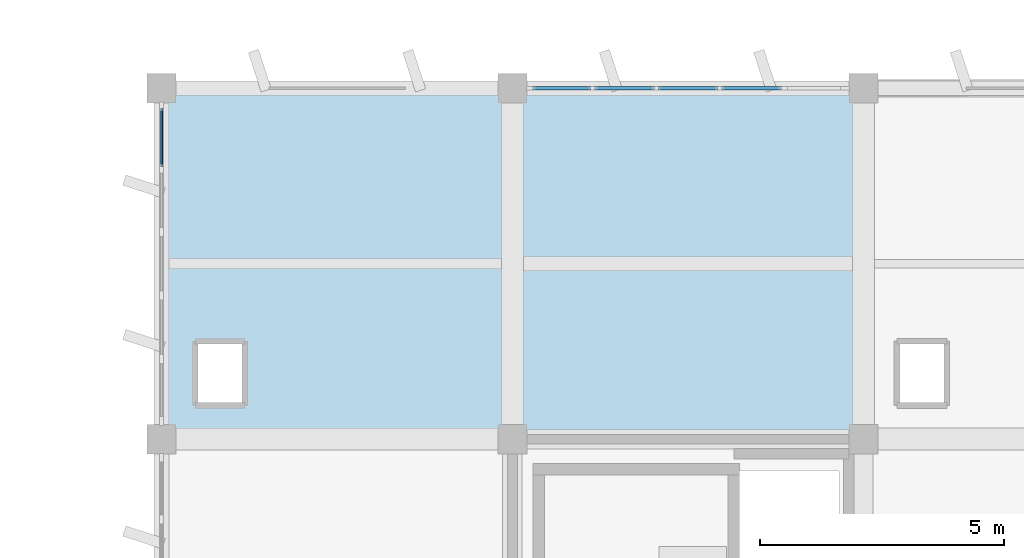
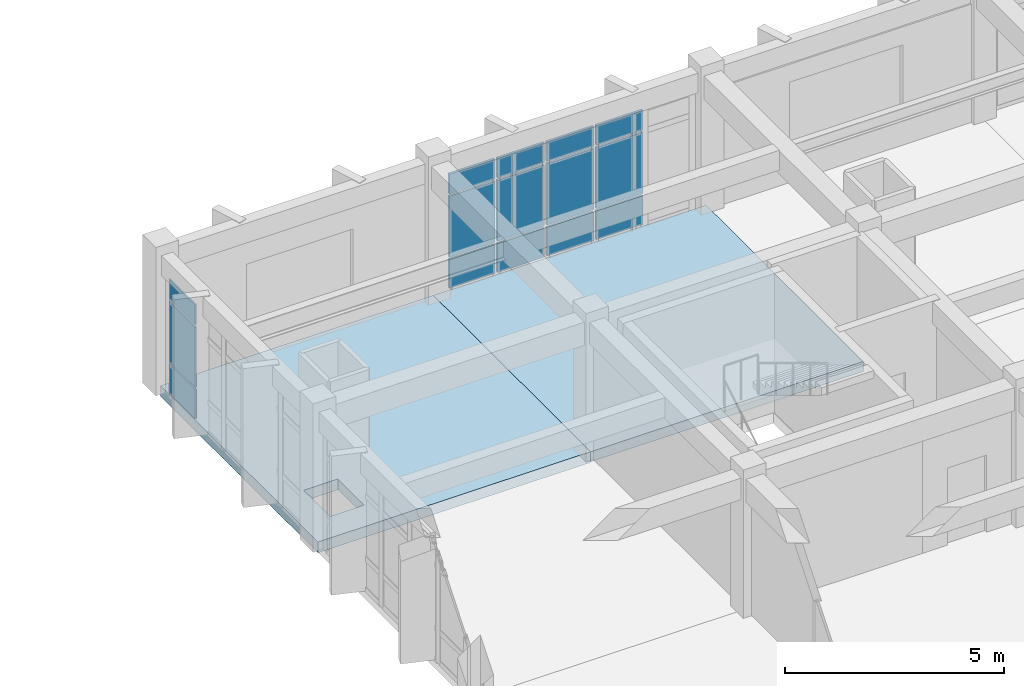
# One storey, part 41 of 62: 15 plates, 2 slabs, 2 elements without a shape of their own.
"""IFC4 building model written with IfcOpenShell, lengths in metres."""

from ifc_helpers import new_model, si_unit, direction, frame, origin, origin_2d, place, context, subcontext, project, spatial, polyline, rectangle, outline, extrude, material, layer, layer_set, type_object, element, aggregate, save


model = new_model("IFC4")

# Units and contexts
model_context = context("Model", 3, precision=1e-05, world=origin(), true_north=direction((0.0, 1.0)))
body_context = subcontext(model_context, "Body", "Model", "MODEL_VIEW")
ifc_project = project(units=[si_unit("LENGTHUNIT", "METRE"), si_unit("AREAUNIT", "SQUARE_METRE"), si_unit("VOLUMEUNIT", "CUBIC_METRE"), si_unit("PLANEANGLEUNIT", "RADIAN"), si_unit("MASSUNIT", "GRAM", prefix="KILO")], contexts=[model_context])

# Site, building, storey
site_placement = place(None, origin())
site = spatial("IfcSite", under=ifc_project, at=site_placement, CompositionType="ELEMENT")
building_placement = place(site_placement, origin())
building = spatial("IfcBuilding", under=site, at=building_placement, Name="Kavelor Marine Aquarium", CompositionType="ELEMENT")
storey_placement = place(building_placement, frame((0.0, 0.0, 13.5)))
storey = spatial("IfcBuildingStorey", under=building, at=storey_placement, Name="L03", CompositionType="ELEMENT", Elevation=13.5)

# Curtain wall, plates
ifc_material_1 = material(Name="Thermally Broken Aluminium and Low-E Glass", Category="aluminium")
ifc_layer_1 = layer(ifc_material_1, 0.2041015625)
ifc_layer_set_1 = layer_set([ifc_layer_1], Name="CW-SYS8")
curtain_wall_type = type_object("IfcCurtainWallType", Name="CW-SYS8", PredefinedType="USERDEFINED", material=ifc_layer_set_1)
curtain_wall_1_placement = place(storey_placement, origin())
curtain_wall_1 = element("IfcCurtainWall", 1, at=curtain_wall_1_placement, inside=storey, type_object=curtain_wall_type, Name="cw:y:L03:16_14", ObjectType="Curtain Wall", PredefinedType="USERDEFINED")
ifc_material_2 = material(Name="Solar-Control Double Low-E Glazing", Category="glass")
ifc_layer_2 = layer(ifc_material_2, 0.0400390625)
ifc_layer_set_2 = layer_set([ifc_layer_2], Name="CWP-08")
plate_type_1 = type_object("IfcPlateType", Name="CWP-08", PredefinedType="CURTAIN_PANEL", material=ifc_layer_set_2)
plate_1_placement = place(storey_placement, frame((118.39990234375, 109.787841796875, 0.06494140625), z_axis=(0.0, 0.0, 1.0), x_axis=(0.0, -1.0, 0.0)))
plate_1 = element("IfcPlate", 2, at=plate_1_placement, type_object=plate_type_1, Name="CW08 panel 1.1", PredefinedType="CURTAIN_PANEL", context=body_context, shape_type="SweptSolid", body=[
    extrude(rectangle(XDim=1.20458984375, YDim=0.0400390625, at=origin_2d()), origin(), (0.0, 0.0, 1.0), 0.802490234375),
])
plate_2_placement = place(storey_placement, frame((118.39990234375, 109.787841796875, 0.932373046875), z_axis=(0.0, 0.0, 1.0), x_axis=(0.0, -1.0, 0.0)))
plate_2 = element("IfcPlate", 3, at=plate_2_placement, type_object=plate_type_1, Name="CW08 panel 1.2", PredefinedType="CURTAIN_PANEL", context=body_context, shape_type="SweptSolid", body=[
    extrude(rectangle(XDim=1.20458984375, YDim=0.0400390625, at=origin_2d()), origin(), (0.0, 0.0, 1.0), 1.68505859375),
])
plate_3_placement = place(storey_placement, frame((118.39990234375, 109.787841796875, 2.6826171875), z_axis=(0.0, 0.0, 1.0), x_axis=(0.0, -1.0, 0.0)))
plate_3 = element("IfcPlate", 4, at=plate_3_placement, type_object=plate_type_1, Name="CW08 panel 1.3", PredefinedType="CURTAIN_PANEL", context=body_context, shape_type="SweptSolid", body=[
    extrude(rectangle(XDim=1.20458984375, YDim=0.0400390625, at=origin_2d()), origin(), (0.0, 0.0, 1.0), 0.552490234375),
])
aggregate(curtain_wall_1, [plate_1, plate_2, plate_3])

curtain_wall_2_placement = place(storey_placement, origin())
curtain_wall_2 = element("IfcCurtainWall", 5, at=curtain_wall_2_placement, inside=storey, type_object=curtain_wall_type, Name="cw:x:L03:17_15", ObjectType="Curtain Wall", PredefinedType="USERDEFINED")
ifc_material_3 = material(Name="Solar-Control Double Low-E Glazing", Category="glass")
ifc_layer_3 = layer(ifc_material_3, 0.06396484375)
ifc_layer_set_3 = layer_set([ifc_layer_3], Name="CWP-20")
plate_type_2 = type_object("IfcPlateType", Name="CWP-20", PredefinedType="CURTAIN_PANEL", material=ifc_layer_set_3)
plate_4_placement = place(storey_placement, frame((126.6123046875, 110.800048828125, 0.06494140625), z_axis=(0.0, 0.0, 1.0), x_axis=(1.0, 0.0, 0.0)))
plate_4 = element("IfcPlate", 6, at=plate_4_placement, type_object=plate_type_2, Name="CW08 panel 1.1", PredefinedType="CURTAIN_PANEL", context=body_context, shape_type="SweptSolid", body=[
    extrude(rectangle(XDim=1.20458984375, YDim=0.06396484375, at=origin_2d()), origin(), (0.0, 0.0, 1.0), 0.802490234375),
])
plate_5_placement = place(storey_placement, frame((126.6123046875, 110.800048828125, 0.932373046875), z_axis=(0.0, 0.0, 1.0), x_axis=(1.0, 0.0, 0.0)))
plate_5 = element("IfcPlate", 7, at=plate_5_placement, type_object=plate_type_2, Name="CW08 panel 1.2", PredefinedType="CURTAIN_PANEL", context=body_context, shape_type="SweptSolid", body=[
    extrude(rectangle(XDim=1.20458984375, YDim=0.06396484375, at=origin_2d()), origin(), (0.0, 0.0, 1.0), 1.705078125),
])
plate_6_placement = place(storey_placement, frame((126.6123046875, 110.800048828125, 2.70263671875), z_axis=(0.0, 0.0, 1.0), x_axis=(1.0, 0.0, 0.0)))
plate_6 = element("IfcPlate", 8, at=plate_6_placement, type_object=plate_type_2, Name="CW08 panel 1.3", PredefinedType="CURTAIN_PANEL", context=body_context, shape_type="SweptSolid", body=[
    extrude(rectangle(XDim=1.20458984375, YDim=0.06396484375, at=origin_2d()), origin(), (0.0, 0.0, 1.0), 0.552490234375),
])
plate_7_placement = place(storey_placement, frame((127.89794921875, 110.800048828125, 0.06494140625), z_axis=(0.0, 0.0, 1.0), x_axis=(1.0, 0.0, 0.0)))
plate_7 = element("IfcPlate", 9, at=plate_7_placement, type_object=plate_type_2, Name="CW08 panel 2.1", PredefinedType="CURTAIN_PANEL", context=body_context, shape_type="SweptSolid", body=[
    extrude(rectangle(XDim=1.237060546875, YDim=0.06396484375, at=origin_2d()), origin(), (0.0, 0.0, 1.0), 0.802490234375),
])
plate_8_placement = place(storey_placement, frame((127.89794921875, 110.800048828125, 0.932373046875), z_axis=(0.0, 0.0, 1.0), x_axis=(1.0, 0.0, 0.0)))
plate_8 = element("IfcPlate", 10, at=plate_8_placement, type_object=plate_type_2, Name="CW08 panel 2.2", PredefinedType="CURTAIN_PANEL", context=body_context, shape_type="SweptSolid", body=[
    extrude(rectangle(XDim=1.237060546875, YDim=0.06396484375, at=origin_2d()), origin(), (0.0, 0.0, 1.0), 1.705078125),
])
plate_9_placement = place(storey_placement, frame((127.89794921875, 110.800048828125, 2.70263671875), z_axis=(0.0, 0.0, 1.0), x_axis=(1.0, 0.0, 0.0)))
plate_9 = element("IfcPlate", 11, at=plate_9_placement, type_object=plate_type_2, Name="CW08 panel 2.3", PredefinedType="CURTAIN_PANEL", context=body_context, shape_type="SweptSolid", body=[
    extrude(rectangle(XDim=1.237060546875, YDim=0.06396484375, at=origin_2d()), origin(), (0.0, 0.0, 1.0), 0.552490234375),
])
plate_10_placement = place(storey_placement, frame((129.199951171875, 110.800048828125, 0.06494140625), z_axis=(0.0, 0.0, 1.0), x_axis=(1.0, 0.0, 0.0)))
plate_10 = element("IfcPlate", 12, at=plate_10_placement, type_object=plate_type_2, Name="CW08 panel 3.1", PredefinedType="CURTAIN_PANEL", context=body_context, shape_type="SweptSolid", body=[
    extrude(rectangle(XDim=1.237060546875, YDim=0.06396484375, at=origin_2d()), origin(), (0.0, 0.0, 1.0), 0.802490234375),
])
plate_11_placement = place(storey_placement, frame((129.199951171875, 110.800048828125, 0.932373046875), z_axis=(0.0, 0.0, 1.0), x_axis=(1.0, 0.0, 0.0)))
plate_11 = element("IfcPlate", 13, at=plate_11_placement, type_object=plate_type_2, Name="CW08 panel 3.2", PredefinedType="CURTAIN_PANEL", context=body_context, shape_type="SweptSolid", body=[
    extrude(rectangle(XDim=1.237060546875, YDim=0.06396484375, at=origin_2d()), origin(), (0.0, 0.0, 1.0), 1.705078125),
])
plate_12_placement = place(storey_placement, frame((129.199951171875, 110.800048828125, 2.70263671875), z_axis=(0.0, 0.0, 1.0), x_axis=(1.0, 0.0, 0.0)))
plate_12 = element("IfcPlate", 14, at=plate_12_placement, type_object=plate_type_2, Name="CW08 panel 3.3", PredefinedType="CURTAIN_PANEL", context=body_context, shape_type="SweptSolid", body=[
    extrude(rectangle(XDim=1.237060546875, YDim=0.06396484375, at=origin_2d()), origin(), (0.0, 0.0, 1.0), 0.552490234375),
])
plate_13_placement = place(storey_placement, frame((130.501953125, 110.800048828125, 0.06494140625), z_axis=(0.0, 0.0, 1.0), x_axis=(1.0, 0.0, 0.0)))
plate_13 = element("IfcPlate", 15, at=plate_13_placement, type_object=plate_type_2, Name="CW08 panel 4.1", PredefinedType="CURTAIN_PANEL", context=body_context, shape_type="SweptSolid", body=[
    extrude(rectangle(XDim=1.237060546875, YDim=0.06396484375, at=origin_2d()), origin(), (0.0, 0.0, 1.0), 0.802490234375),
])
plate_14_placement = place(storey_placement, frame((130.501953125, 110.800048828125, 0.932373046875), z_axis=(0.0, 0.0, 1.0), x_axis=(1.0, 0.0, 0.0)))
plate_14 = element("IfcPlate", 16, at=plate_14_placement, type_object=plate_type_2, Name="CW08 panel 4.2", PredefinedType="CURTAIN_PANEL", context=body_context, shape_type="SweptSolid", body=[
    extrude(rectangle(XDim=1.237060546875, YDim=0.06396484375, at=origin_2d()), origin(), (0.0, 0.0, 1.0), 1.705078125),
])
plate_15_placement = place(storey_placement, frame((130.501953125, 110.800048828125, 2.70263671875), z_axis=(0.0, 0.0, 1.0), x_axis=(1.0, 0.0, 0.0)))
plate_15 = element("IfcPlate", 17, at=plate_15_placement, type_object=plate_type_2, Name="CW08 panel 4.3", PredefinedType="CURTAIN_PANEL", context=body_context, shape_type="SweptSolid", body=[
    extrude(rectangle(XDim=1.237060546875, YDim=0.06396484375, at=origin_2d()), origin(), (0.0, 0.0, 1.0), 0.552490234375),
])
aggregate(curtain_wall_2, [plate_4, plate_5, plate_6, plate_7, plate_8, plate_9, plate_10, plate_11, plate_12, plate_13, plate_14, plate_15])

# Slabs
ifc_material_4 = material(Name="Concrete C40/50", Category="concrete")
ifc_layer_4 = layer(ifc_material_4, 0.300048828125)
ifc_layer_set_4 = layer_set([ifc_layer_4], Name="SL-FL1")
slab_type_1 = type_object("IfcSlabType", Name="SL-FL1", PredefinedType="FLOOR", material=ifc_layer_set_4)
slab_1_placement = place(storey_placement, frame((0.0, 0.0, -0.300048828125)))
element("IfcSlab", 18, at=slab_1_placement, inside=storey, type_object=slab_type_1, Name="slab:L03:16_14", PredefinedType="FLOOR", context=body_context, shape_type="SweptSolid", body=[
    extrude(outline(polyline([(118.39990234375, 103.60009765625), (125.60009765625, 103.60009765625), (125.60009765625, 110.800048828125), (118.39990234375, 110.800048828125), (118.39990234375, 103.60009765625)]), holes=[polyline([(119.14990234375, 104.35009765625), (120.050048828125, 104.35009765625), (120.050048828125, 105.550048828125), (119.14990234375, 105.550048828125), (119.14990234375, 104.35009765625)])]), origin(), (0.0, 0.0, 1.0), 0.300048828125),
])
ifc_material_5 = material(Name="Concrete C40/50", Category="concrete")
ifc_layer_5 = layer(ifc_material_5, 0.280029296875)
ifc_layer_set_5 = layer_set([ifc_layer_5], Name="SL-FL2")
slab_type_2 = type_object("IfcSlabType", Name="SL-FL2", PredefinedType="FLOOR", material=ifc_layer_set_5)
slab_2_placement = place(storey_placement, frame((0.0, 0.0, -0.280029296875)))
element("IfcSlab", 19, at=slab_2_placement, inside=storey, type_object=slab_type_2, Name="slab:L03:17_14", PredefinedType="FLOOR", context=body_context, shape_type="SweptSolid", body=[
    extrude(outline(polyline([(125.60009765625, 103.60009765625), (132.800048828125, 103.60009765625), (132.800048828125, 110.800048828125), (125.60009765625, 110.800048828125), (125.60009765625, 103.60009765625)])), origin(), (0.0, 0.0, 1.0), 0.280029296875),
])

save(model, "model.ifc")
